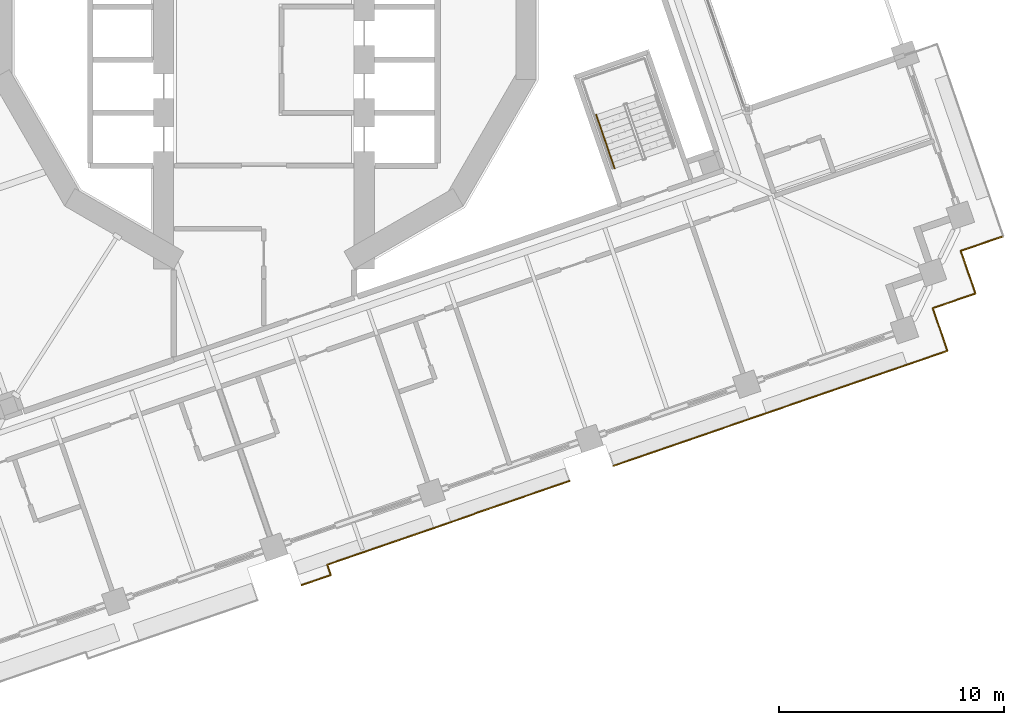
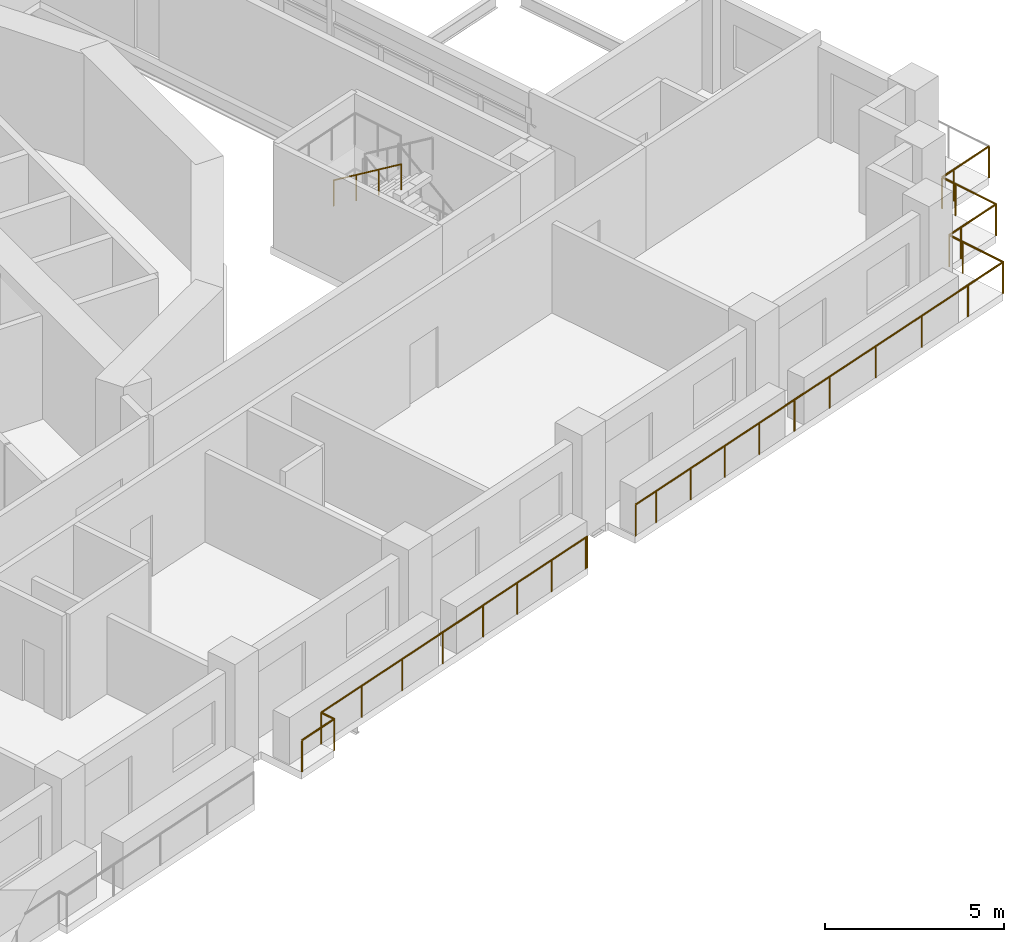
# One storey, part 18 of 22: 3 railings.
"""IFC4 building model written with IfcOpenShell, lengths in metres."""

import ifcopenshell
import ifcopenshell.guid

model = None  # the IFC model being written
_history = None  # IfcOwnerHistory: only IFC2X3 demands one
_inside = {}  # id of a spatial element -> (the spatial element, [elements in it])
_under = {}  # id of a project, library or spatial element -> (it, [spatial elements below it])
_declared = {}  # id of a project -> (the project, [libraries it declares])
_typed = {}  # id of a type object -> (the type object, [elements of that type])
_made_of = {}  # id of a material, layer set ... -> (it, [elements and type objects made of it])


def new_model(schema):
    """Start an empty IFC model of exactly this schema.

    Asked for "IFC4X3", IfcOpenShell would pick the latest addendum, in which some entities
    have other attributes; the version numbers below select the first issue.
    IFC2X3 requires an IfcOwnerHistory on every rooted entity: one is made here for all.
    """
    global model, _history
    if schema == "IFC4X3":
        model = ifcopenshell.file(schema_version=(4, 3, 0, 0))
    else:
        model = ifcopenshell.file(schema=schema)
    _inside.clear()
    _under.clear()
    _declared.clear()
    _typed.clear()
    _made_of.clear()
    _history = None
    if model.schema == "IFC2X3":
        org = make("IfcOrganization", Name="unknown")
        user = make(
            "IfcPersonAndOrganization",
            ThePerson=make("IfcPerson", FamilyName="unknown"),
            TheOrganization=org,
        )
        app = make(
            "IfcApplication",
            ApplicationDeveloper=org,
            Version="unknown",
            ApplicationFullName="unknown",
            ApplicationIdentifier="unknown",
        )
        _history = make(
            "IfcOwnerHistory",
            OwningUser=user,
            OwningApplication=app,
            ChangeAction="ADDED",
            CreationDate=0,
        )
    return model


def make(cls, **values):
    """One entity of the class cls with the attributes given. An attribute that is None is left unset."""
    return model.create_entity(
        cls, **{name: value for name, value in values.items() if value is not None}
    )


def rooted(cls, **values):
    """An entity with a GlobalId (a new one), such as an element, a storey or a relation."""
    return make(cls, GlobalId=ifcopenshell.guid.new(), OwnerHistory=_history, **values)


def si_unit(unit_type, name, prefix=None):
    """IfcSIUnit, for example si_unit("LENGTHUNIT", "METRE", prefix="MILLI")."""
    return make("IfcSIUnit", UnitType=unit_type, Prefix=prefix, Name=name)


def assignment(units):
    """IfcUnitAssignment: the units of a project."""
    return None if units is None else make("IfcUnitAssignment", Units=units)


def point(xyz):
    """IfcCartesianPoint."""
    return None if xyz is None else make("IfcCartesianPoint", Coordinates=xyz)


def direction(xyz):
    """IfcDirection."""
    return None if xyz is None else make("IfcDirection", DirectionRatios=xyz)


def frame(location, z_axis=None, x_axis=None):
    """IfcAxis2Placement3D, a coordinate frame: its origin and axes. An axis left out is left unset."""
    return make(
        "IfcAxis2Placement3D",
        Location=point(location),
        Axis=direction(z_axis),
        RefDirection=direction(x_axis),
    )


def frame_2d(location, x_axis=None):
    """IfcAxis2Placement2D, a coordinate frame in the plane: its origin and x axis."""
    return make(
        "IfcAxis2Placement2D", Location=point(location), RefDirection=direction(x_axis)
    )


def origin():
    """The frame at (0, 0, 0) with its axes left unset."""
    return frame((0.0, 0.0, 0.0))


def origin_2d():
    """The frame at (0, 0) in the plane with its x axis left unset."""
    return frame_2d((0.0, 0.0))


def place(relative_to, where):
    """IfcLocalPlacement: puts the frame where relative to a parent placement (None: the world)."""
    return make(
        "IfcLocalPlacement", PlacementRelTo=relative_to, RelativePlacement=where
    )


def context(
    kind, dimensions, precision=None, world=None, true_north=None, identifier=None
):
    """IfcGeometricRepresentationContext, for example the 3D "Model" context."""
    return make(
        "IfcGeometricRepresentationContext",
        ContextIdentifier=identifier,
        ContextType=kind,
        CoordinateSpaceDimension=dimensions,
        Precision=precision,
        WorldCoordinateSystem=world,
        TrueNorth=true_north,
    )


def subcontext(parent, identifier, kind, view, scale=None):
    """IfcGeometricRepresentationSubContext, for example "Body" below "Model"."""
    return make(
        "IfcGeometricRepresentationSubContext",
        ContextIdentifier=identifier,
        ContextType=kind,
        ParentContext=parent,
        TargetScale=scale,
        TargetView=view,
    )


def project(units=None, contexts=None):
    """IfcProject with its units and contexts."""
    return rooted(
        "IfcProject",
        Name="project",
        RepresentationContexts=contexts,
        UnitsInContext=assignment(units),
    )


def spatial(cls, under=None, at=None, **own):
    """A site, building, storey or space (cls), placed at a placement, below another one or the project."""
    s = rooted(cls, ObjectPlacement=at, **own)
    if under is not None:
        _under.setdefault(under.id(), (under, []))[1].append(s)
    return s


def profile(cls, at=None, kind="AREA", **sizes):
    """A parametric profile (cls). Its sizes go by their IFC names, for example OverallWidth=200.0."""
    return make(cls, ProfileType=kind, Position=at, **sizes)


def circle(**sizes):
    """IfcCircleProfileDef."""
    return profile("IfcCircleProfileDef", **sizes)


def extrude(swept, where, along, depth):
    """IfcExtrudedAreaSolid: the profile swept, set in the frame where, extruded along a direction by depth."""
    return make(
        "IfcExtrudedAreaSolid",
        SweptArea=swept,
        Position=where,
        ExtrudedDirection=direction(along),
        Depth=depth,
    )


def shape(context_of_items, identifier, shape_type, items):
    """IfcShapeRepresentation: the items that make up one representation, for example the "Body"."""
    return make(
        "IfcShapeRepresentation",
        ContextOfItems=context_of_items,
        RepresentationIdentifier=identifier,
        RepresentationType=shape_type,
        Items=items,
    )


def material(Name=None, Category=None):
    """IfcMaterial."""
    return make("IfcMaterial", Name=Name, Category=Category)


def made_of(thing, what):
    """Note that an element or type object is made of a material, layer set ...; save() writes the relation."""
    if what is not None:
        _made_of.setdefault(what.id(), (what, []))[1].append(thing)
    return thing


def type_object(cls, material=None, **own):
    """A type object (cls), such as IfcWallType, which elements share."""
    return made_of(rooted(cls, **own), material)


def element(
    cls,
    number,
    at=None,
    inside=None,
    cuts=None,
    type_object=None,
    material=None,
    context=None,
    identifier="Body",
    shape_type=None,
    held_by="IfcProductDefinitionShape",
    body=None,
    shapes=None,
    **own,
):
    """One element of the class cls, such as IfcWall. Its Tag is "e" and its number.

    at: its placement. inside: the storey or other place that contains it. cuts: it is an
    opening in that element (IfcRelVoidsElement). A single representation is given by context,
    identifier, shape_type and body (its items); several are given by shapes. held_by: the class
    of the entity that holds the representations. save() writes the other relations.
    """
    e = rooted(cls, Tag="e%d" % number, ObjectPlacement=at, **own)
    if body is not None:
        shapes = [shape(context, identifier, shape_type, body)]
    if shapes is not None:
        e.Representation = make(held_by, Representations=shapes)
    if inside is not None:
        _inside.setdefault(inside.id(), (inside, []))[1].append(e)
    if cuts is not None:
        rooted(
            "IfcRelVoidsElement", RelatingBuildingElement=cuts, RelatedOpeningElement=e
        )
    if type_object is not None:
        _typed.setdefault(type_object.id(), (type_object, []))[1].append(e)
    return made_of(e, material)


def aggregate(whole, parts):
    """IfcRelAggregates: a whole, such as a stair, and the parts it consists of."""
    return rooted("IfcRelAggregates", RelatingObject=whole, RelatedObjects=parts)


def save(model, path):
    """Write the relations noted so far, then the file.

    IfcRelAggregates (storeys below a building ...), IfcRelContainedInSpatialStructure (elements
    in a storey), IfcRelDefinesByType, IfcRelAssociatesMaterial and IfcRelDeclares: one each for
    every whole, place, type object, material and project.
    """
    for whole, parts in _under.values():
        aggregate(whole, parts)
    for where, things in _inside.values():
        rooted(
            "IfcRelContainedInSpatialStructure",
            RelatedElements=things,
            RelatingStructure=where,
        )
    for kind, things in _typed.values():
        rooted("IfcRelDefinesByType", RelatedObjects=things, RelatingType=kind)
    for what, things in _made_of.values():
        rooted("IfcRelAssociatesMaterial", RelatedObjects=things, RelatingMaterial=what)
    for by, libraries in _declared.values():
        rooted("IfcRelDeclares", RelatingContext=by, RelatedDefinitions=libraries)
    model.write(path)


model = new_model("IFC4")

# Units and contexts
model_context = context("Model", 3, precision=1e-05, world=origin(), true_north=direction((0.0, 1.0)))
body_context = subcontext(model_context, "Body", "Model", "MODEL_VIEW")
ifc_project = project(units=[si_unit("LENGTHUNIT", "METRE"), si_unit("AREAUNIT", "SQUARE_METRE"), si_unit("VOLUMEUNIT", "CUBIC_METRE"), si_unit("PLANEANGLEUNIT", "RADIAN"), si_unit("MASSUNIT", "GRAM", prefix="KILO")], contexts=[model_context])

# Site, building, storey
site_placement = place(None, origin())
site = spatial("IfcSite", under=ifc_project, at=site_placement, CompositionType="ELEMENT")
building_placement = place(site_placement, origin())
building = spatial("IfcBuilding", under=site, at=building_placement, Name="Cantera Rosa Tower", CompositionType="ELEMENT")
storey_placement = place(building_placement, frame((0.0, 0.0, 115.5)))
storey = spatial("IfcBuildingStorey", under=building, at=storey_placement, Name="L23", CompositionType="ELEMENT", Elevation=115.5)

# Railings
ifc_material_1 = material(Name="Stainless steel and laminated glass", Category="steel")
railing_type_1 = type_object("IfcRailingType", Name="GUARD 1100", PredefinedType="BALUSTRADE", material=ifc_material_1)
railing_1_placement = place(storey_placement, frame((13.55615234375, -21.032470703125, 0.0)))
element("IfcRailing", 1, at=railing_1_placement, inside=storey, type_object=railing_type_1, Name="GUARD L23-8", PredefinedType="BALUSTRADE", context=body_context, shape_type="SweptSolid", body=[
    extrude(circle(Radius=0.030029296875, at=origin_2d()), frame((0.0, 0.0, 1.070068359375), z_axis=(-0.946220044844, -0.323523765333, 0.0), x_axis=(0.323523765333, -0.946220044844, 0.0)), (0.0, 0.0, 1.0), 0.070068359375),
    extrude(circle(Radius=0.030029296875, at=origin_2d()), frame((-0.06640625, -0.022705078125, 1.070068359375), z_axis=(-0.945513705783, -0.325582297087, 0.0), x_axis=(0.325582297087, -0.945513705783, 0.0)), (0.0, 0.0, 1.0), 4.38525390625),
    extrude(circle(Radius=0.030029296875, at=origin_2d()), frame((-4.212646484375, -1.450439453125, 1.070068359375), z_axis=(0.331087713029, -0.943599982133, 0.0), x_axis=(0.943599982133, 0.331087713029, 0.0)), (0.0, 0.0, 1.0), 0.0146484375),
    extrude(circle(Radius=0.030029296875, at=origin_2d()), frame((-4.207763671875, -1.46435546875, 1.070068359375), z_axis=(-0.945519949949, -0.32556416303, 0.0), x_axis=(0.32556416303, -0.945519949949, 0.0)), (0.0, 0.0, 1.0), 6.91552734375),
    extrude(circle(Radius=0.030029296875, at=origin_2d()), frame((-10.74658203125, -3.7158203125, 1.070068359375), z_axis=(0.325586807373, -0.94551215268, 0.0), x_axis=(0.94551215268, 0.325586807373, 0.0)), (0.0, 0.0, 1.0), 0.484375),
    extrude(circle(Radius=0.030029296875, at=origin_2d()), frame((-10.5888671875, -4.173828125, 1.070068359375), z_axis=(-0.94551689242, -0.325573042723, 0.0), x_axis=(0.325573042723, -0.94551689242, 0.0)), (0.0, 0.0, 1.0), 1.369384765625),
    extrude(circle(Radius=0.02490234375, at=origin_2d()), origin(), (0.0, 0.0, 1.0), 1.0400390625),
    extrude(circle(Radius=0.02490234375, at=origin_2d()), frame((-0.06640625, -0.022705078125, 0.0)), (0.0, 0.0, 1.0), 1.0400390625),
    extrude(circle(Radius=0.02490234375, at=origin_2d()), frame((-1.448486328125, -0.49853515625, 0.0)), (0.0, 0.0, 1.0), 1.0400390625),
    extrude(circle(Radius=0.02490234375, at=origin_2d()), frame((-2.83056640625, -0.974609375, 0.0)), (0.0, 0.0, 1.0), 1.0400390625),
    extrude(circle(Radius=0.02490234375, at=origin_2d()), frame((-4.212646484375, -1.450439453125, 0.0)), (0.0, 0.0, 1.0), 1.0400390625),
    extrude(circle(Radius=0.02490234375, at=origin_2d()), frame((-4.207763671875, -1.46435546875, 0.0)), (0.0, 0.0, 1.0), 1.0400390625),
    extrude(circle(Radius=0.02490234375, at=origin_2d()), frame((-5.842529296875, -2.02734375, 0.0)), (0.0, 0.0, 1.0), 1.0400390625),
    extrude(circle(Radius=0.02490234375, at=origin_2d()), frame((-7.47705078125, -2.590087890625, 0.0)), (0.0, 0.0, 1.0), 1.0400390625),
    extrude(circle(Radius=0.02490234375, at=origin_2d()), frame((-9.11181640625, -3.15283203125, 0.0)), (0.0, 0.0, 1.0), 1.0400390625),
    extrude(circle(Radius=0.02490234375, at=origin_2d()), frame((-10.74658203125, -3.7158203125, 0.0)), (0.0, 0.0, 1.0), 1.0400390625),
    extrude(circle(Radius=0.02490234375, at=origin_2d()), frame((-10.5888671875, -4.173828125, 0.0)), (0.0, 0.0, 1.0), 1.0400390625),
    extrude(circle(Radius=0.02490234375, at=origin_2d()), frame((-11.883544921875, -4.61962890625, 0.0)), (0.0, 0.0, 1.0), 1.0400390625),
])
railing_2_placement = place(storey_placement, frame((32.7998046875, -10.17578125, 0.0)))
element("IfcRailing", 2, at=railing_2_placement, inside=storey, type_object=railing_type_1, Name="GUARD L23-9", PredefinedType="BALUSTRADE", context=body_context, shape_type="SweptSolid", body=[
    extrude(circle(Radius=0.030029296875, at=origin_2d()), frame((0.0, 0.0, 1.070068359375), z_axis=(-0.945528551438, -0.325539181077, 0.0), x_axis=(0.325539181077, -0.945528551438, 0.0)), (0.0, 0.0, 1.0), 1.5),
    extrude(circle(Radius=0.030029296875, at=origin_2d()), frame((-1.418212890625, -0.48828125, 1.070068359375), z_axis=(-0.945461173218, -0.32573481536, 0.0), x_axis=(0.32573481536, -0.945461173218, 0.0)), (0.0, 0.0, 1.0), 0.5),
    extrude(circle(Radius=0.030029296875, at=origin_2d()), frame((-1.890869140625, -0.651123046875, 1.070068359375), z_axis=(0.325147989177, -0.945663145699, 0.0), x_axis=(0.945663145699, 0.325147989177, 0.0)), (0.0, 0.0, 1.0), 0.5),
    extrude(circle(Radius=0.030029296875, at=origin_2d()), frame((-1.728271484375, -1.1240234375, 1.070068359375), z_axis=(0.325684689469, -0.945478441343, 0.0), x_axis=(0.945478441343, 0.325684689469, 0.0)), (0.0, 0.0, 1.0), 1.5),
    extrude(circle(Radius=0.030029296875, at=origin_2d()), frame((-1.23974609375, -2.542236328125, 1.070068359375), z_axis=(-0.945545797087, -0.325489086777, 0.0), x_axis=(0.325489086777, -0.945545797087, 0.0)), (0.0, 0.0, 1.0), 1.500244140625),
    extrude(circle(Radius=0.030029296875, at=origin_2d()), frame((-2.658203125, -3.030517578125, 1.070068359375), z_axis=(-0.945461173218, -0.32573481536, 0.0), x_axis=(0.32573481536, -0.945461173218, 0.0)), (0.0, 0.0, 1.0), 0.5),
    extrude(circle(Radius=0.030029296875, at=origin_2d()), frame((-3.130859375, -3.193359375, 1.070068359375), z_axis=(0.32573481536, -0.945461173218, 0.0), x_axis=(0.945461173218, 0.32573481536, 0.0)), (0.0, 0.0, 1.0), 0.5),
    extrude(circle(Radius=0.030029296875, at=origin_2d()), frame((-2.968017578125, -3.666015625, 1.070068359375), z_axis=(0.325489086777, -0.945545797087, 0.0), x_axis=(0.945545797087, 0.325489086777, 0.0)), (0.0, 0.0, 1.0), 1.500244140625),
    extrude(circle(Radius=0.030029296875, at=origin_2d()), frame((-2.479736328125, -5.08447265625, 1.070068359375), z_axis=(-0.945528551438, -0.325539181077, 0.0), x_axis=(0.325539181077, -0.945528551438, 0.0)), (0.0, 0.0, 1.0), 1.5),
    extrude(circle(Radius=0.030029296875, at=origin_2d()), frame((-3.89794921875, -5.57275390625, 1.070068359375), z_axis=(-0.945517123015, -0.325572373037, 0.0), x_axis=(0.325572373037, -0.945517123015, 0.0)), (0.0, 0.0, 1.0), 5.900146484375),
    extrude(circle(Radius=0.030029296875, at=origin_2d()), frame((-9.4765625, -7.49365234375, 1.070068359375), z_axis=(-0.945528551438, -0.325539181077, 0.0), x_axis=(0.325539181077, -0.945528551438, 0.0)), (0.0, 0.0, 1.0), 2.999755859375),
    extrude(circle(Radius=0.030029296875, at=origin_2d()), frame((-12.31298828125, -8.47021484375, 1.070068359375), z_axis=(-0.945513227049, -0.325583687361, 0.0), x_axis=(0.325583687361, -0.945513227049, 0.0)), (0.0, 0.0, 1.0), 4.400146484375),
    extrude(circle(Radius=0.030029296875, at=origin_2d()), frame((-16.473388671875, -9.90283203125, 1.070068359375), z_axis=(-0.945522007901, -0.325558186158, 0.0), x_axis=(0.325558186158, -0.945522007901, 0.0)), (0.0, 0.0, 1.0), 0.869873046875),
    extrude(circle(Radius=0.02490234375, at=origin_2d()), origin(), (0.0, 0.0, 1.0), 1.0400390625),
    extrude(circle(Radius=0.02490234375, at=origin_2d()), frame((-1.418212890625, -0.48828125, 0.0)), (0.0, 0.0, 1.0), 1.0400390625),
    extrude(circle(Radius=0.02490234375, at=origin_2d()), frame((-1.890869140625, -0.651123046875, 0.0)), (0.0, 0.0, 1.0), 1.0400390625),
    extrude(circle(Radius=0.02490234375, at=origin_2d()), frame((-1.728271484375, -1.1240234375, 0.0)), (0.0, 0.0, 1.0), 1.0400390625),
    extrude(circle(Radius=0.02490234375, at=origin_2d()), frame((-1.23974609375, -2.542236328125, 0.0)), (0.0, 0.0, 1.0), 1.0400390625),
    extrude(circle(Radius=0.02490234375, at=origin_2d()), frame((-2.658203125, -3.030517578125, 0.0)), (0.0, 0.0, 1.0), 1.0400390625),
    extrude(circle(Radius=0.02490234375, at=origin_2d()), frame((-3.130859375, -3.193359375, 0.0)), (0.0, 0.0, 1.0), 1.0400390625),
    extrude(circle(Radius=0.02490234375, at=origin_2d()), frame((-2.968017578125, -3.666015625, 0.0)), (0.0, 0.0, 1.0), 1.0400390625),
    extrude(circle(Radius=0.02490234375, at=origin_2d()), frame((-2.479736328125, -5.08447265625, 0.0)), (0.0, 0.0, 1.0), 1.0400390625),
    extrude(circle(Radius=0.02490234375, at=origin_2d()), frame((-3.89794921875, -5.57275390625, 0.0)), (0.0, 0.0, 1.0), 1.0400390625),
    extrude(circle(Radius=0.02490234375, at=origin_2d()), frame((-5.757568359375, -6.213134765625, 0.0)), (0.0, 0.0, 1.0), 1.0400390625),
    extrude(circle(Radius=0.02490234375, at=origin_2d()), frame((-7.616943359375, -6.853271484375, 0.0)), (0.0, 0.0, 1.0), 1.0400390625),
    extrude(circle(Radius=0.02490234375, at=origin_2d()), frame((-9.4765625, -7.49365234375, 0.0)), (0.0, 0.0, 1.0), 1.0400390625),
    extrude(circle(Radius=0.02490234375, at=origin_2d()), frame((-10.894775390625, -7.98193359375, 0.0)), (0.0, 0.0, 1.0), 1.0400390625),
    extrude(circle(Radius=0.02490234375, at=origin_2d()), frame((-12.31298828125, -8.47021484375, 0.0)), (0.0, 0.0, 1.0), 1.0400390625),
    extrude(circle(Radius=0.02490234375, at=origin_2d()), frame((-13.69970703125, -8.94775390625, 0.0)), (0.0, 0.0, 1.0), 1.0400390625),
    extrude(circle(Radius=0.02490234375, at=origin_2d()), frame((-15.086669921875, -9.42529296875, 0.0)), (0.0, 0.0, 1.0), 1.0400390625),
    extrude(circle(Radius=0.02490234375, at=origin_2d()), frame((-16.473388671875, -9.90283203125, 0.0)), (0.0, 0.0, 1.0), 1.0400390625),
    extrude(circle(Radius=0.02490234375, at=origin_2d()), frame((-17.2958984375, -10.18603515625, 0.0)), (0.0, 0.0, 1.0), 1.0400390625),
])
ifc_material_2 = material(Name="Steel S355J2 (EN 10025-2)", Category="steel")
railing_type_2 = type_object("IfcRailingType", Name="STAIR HANDRAIL 900", PredefinedType="HANDRAIL", material=ifc_material_2)
railing_3_placement = place(storey_placement, frame((14.7353515625, -4.78857421875, 2.090087890625)))
element("IfcRailing", 3, at=railing_3_placement, inside=storey, type_object=railing_type_2, Name="L23 ST-23 stair handrail 2", PredefinedType="HANDRAIL", context=body_context, shape_type="SweptSolid", body=[
    extrude(circle(Radius=0.02392578125, at=origin_2d()), frame((0.0, 0.0, 0.8759765625), z_axis=(0.269358070891, -0.782421063063, 0.561483312059), x_axis=(0.945537585866, 0.325512939397, 0.0)), (0.0, 0.0, 1.0), 3.04541015625),
    extrude(circle(Radius=0.02099609375, at=origin_2d()), origin(), (0.0, 0.0, 1.0), 0.851806640625),
    extrude(circle(Radius=0.02099609375, at=origin_2d()), frame((0.2734375, -0.794189453125, 0.570068359375)), (0.0, 0.0, 1.0), 0.851806640625),
    extrude(circle(Radius=0.02099609375, at=origin_2d()), frame((0.546875, -1.588623046875, 1.139892578125)), (0.0, 0.0, 1.0), 0.851806640625),
    extrude(circle(Radius=0.02099609375, at=origin_2d()), frame((0.8203125, -2.3828125, 1.7099609375)), (0.0, 0.0, 1.0), 0.851806640625),
])

save(model, "model.ifc")
